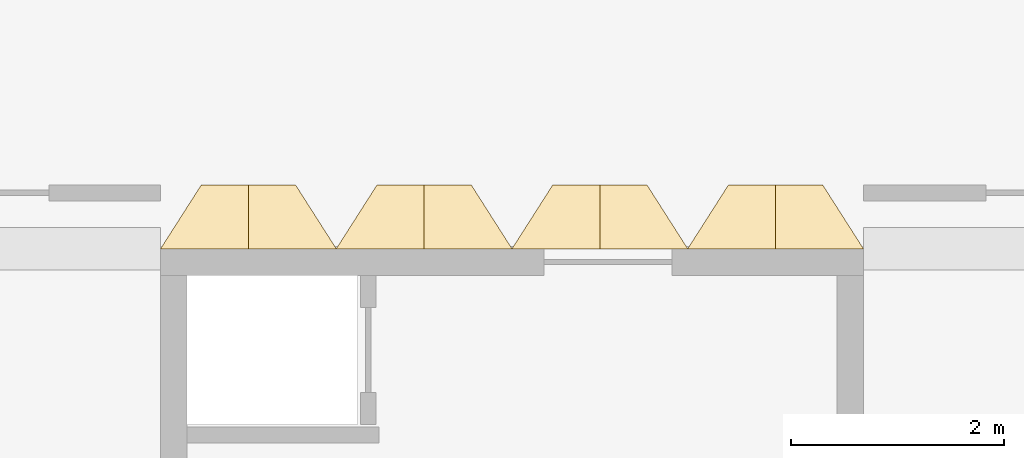
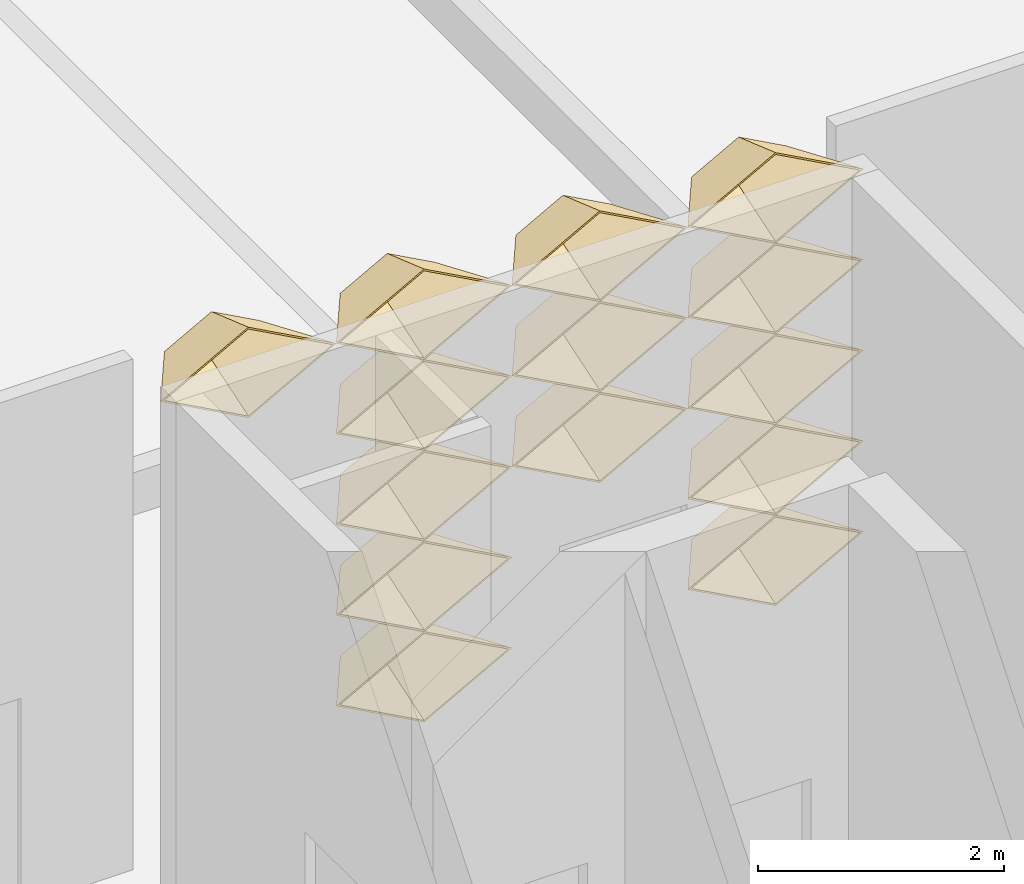
# One storey, part 53 of 85: 14 coverings.
"""IFC4 building model written with IfcOpenShell, lengths in metres."""

from ifc_helpers import new_model, entity, si_unit, direction, frame, origin, place, context, subcontext, project, spatial, material, layer, layer_set, type_object, element, save


model = new_model("IFC4")

# Units and contexts
model_context = context("Model", 3, precision=1e-05, world=origin(), true_north=direction((0.0, 1.0)))
body_context = subcontext(model_context, "Body", "Model", "MODEL_VIEW")
ifc_project = project(units=[si_unit("LENGTHUNIT", "METRE"), si_unit("AREAUNIT", "SQUARE_METRE"), si_unit("VOLUMEUNIT", "CUBIC_METRE"), si_unit("PLANEANGLEUNIT", "RADIAN"), si_unit("MASSUNIT", "GRAM", prefix="KILO")], contexts=[model_context])

# Site, building, storey
site_placement = place(None, origin())
site = spatial("IfcSite", under=ifc_project, at=site_placement, CompositionType="ELEMENT")
building_placement = place(site_placement, origin())
building = spatial("IfcBuilding", under=site, at=building_placement, Name="Lantern Court Research Institute", CompositionType="ELEMENT")
storey_placement = place(building_placement, origin())
storey = spatial("IfcBuildingStorey", under=building, at=storey_placement, Name="L00", CompositionType="ELEMENT", Elevation=0.0)

# Coverings
ifc_material = material(Name="Anodised aluminium", Category="aluminium")
ifc_layer = layer(ifc_material, 0.01611328125)
ifc_layer_set = layer_set([ifc_layer], Name="Anodised aluminium")
covering_type = type_object("IfcCoveringType", Name="Fin cassette 1650 x 900 x 600 aluminium", PredefinedType="CLADDING", material=ifc_layer_set)
covering_1_placement = place(storey_placement, frame((22.27490234375, 23.10009765625, 1.35009765625), z_axis=(0.0, 1.0, 0.0), x_axis=(-1.0, 0.0, 0.0)))
cartesian_point_1 = entity("IfcCartesianPoint", [0.824951171875, 0.0])
cartesian_point_2 = entity("IfcCartesianPoint", [0.79150390625, 0.0])
cartesian_point_3 = entity("IfcCartesianPoint", [0.44189453125, 0.0])
cartesian_point_4 = entity("IfcCartesianPoint", [0.43359375, 0.0])
element("IfcCovering", 1, at=covering_1_placement, inside=storey, type_object=covering_type, Name="Fin cassette V4N-L00 2.14", PredefinedType="CLADDING", context=body_context, shape_type="SweptSolid", body=[
    entity("IfcExtrudedAreaSolidTapered", entity("IfcArbitraryProfileDefWithVoids", "AREA", None, entity("IfcPolyline", [cartesian_point_1, entity("IfcCartesianPoint", [0.0, 0.449951171875]), entity("IfcCartesianPoint", [-0.824951171875, 0.0]), entity("IfcCartesianPoint", [0.0, -0.449951171875]), cartesian_point_1]), [entity("IfcPolyline", [cartesian_point_2, entity("IfcCartesianPoint", [0.0, 0.431884765625]), entity("IfcCartesianPoint", [-0.79150390625, 0.0]), entity("IfcCartesianPoint", [0.0, -0.431884765625]), cartesian_point_2])]), entity("IfcAxis2Placement3D", entity("IfcCartesianPoint", [0.0, 0.0, 0.0])), entity("IfcDirection", [0.0, 0.0, 1.0]), 0.60009765625, entity("IfcArbitraryProfileDefWithVoids", "AREA", None, entity("IfcPolyline", [cartesian_point_3, entity("IfcCartesianPoint", [0.0, 0.240966796875]), entity("IfcCartesianPoint", [-0.44189453125, 0.0]), entity("IfcCartesianPoint", [0.0, -0.240966796875]), cartesian_point_3]), [entity("IfcPolyline", [cartesian_point_4, entity("IfcCartesianPoint", [0.0, 0.236572265625]), entity("IfcCartesianPoint", [-0.43359375, 0.0]), entity("IfcCartesianPoint", [0.0, -0.236572265625]), cartesian_point_4])])),
])
covering_2_placement = place(storey_placement, frame((25.574951171875, 23.10009765625, 1.35009765625), z_axis=(0.0, 1.0, 0.0), x_axis=(-1.0, 0.0, 0.0)))
cartesian_point_5 = entity("IfcCartesianPoint", [0.824951171875, 0.0])
cartesian_point_6 = entity("IfcCartesianPoint", [0.79150390625, 0.0])
cartesian_point_7 = entity("IfcCartesianPoint", [0.44189453125, 0.0])
cartesian_point_8 = entity("IfcCartesianPoint", [0.43359375, 0.0])
element("IfcCovering", 2, at=covering_2_placement, inside=storey, type_object=covering_type, Name="Fin cassette V4N-L00 2.16", PredefinedType="CLADDING", context=body_context, shape_type="SweptSolid", body=[
    entity("IfcExtrudedAreaSolidTapered", entity("IfcArbitraryProfileDefWithVoids", "AREA", None, entity("IfcPolyline", [cartesian_point_5, entity("IfcCartesianPoint", [0.0, 0.449951171875]), entity("IfcCartesianPoint", [-0.824951171875, 0.0]), entity("IfcCartesianPoint", [0.0, -0.449951171875]), cartesian_point_5]), [entity("IfcPolyline", [cartesian_point_6, entity("IfcCartesianPoint", [0.0, 0.431884765625]), entity("IfcCartesianPoint", [-0.79150390625, 0.0]), entity("IfcCartesianPoint", [0.0, -0.431884765625]), cartesian_point_6])]), entity("IfcAxis2Placement3D", entity("IfcCartesianPoint", [0.0, 0.0, 0.0])), entity("IfcDirection", [0.0, 0.0, 1.0]), 0.60009765625, entity("IfcArbitraryProfileDefWithVoids", "AREA", None, entity("IfcPolyline", [cartesian_point_7, entity("IfcCartesianPoint", [0.0, 0.240966796875]), entity("IfcCartesianPoint", [-0.44189453125, 0.0]), entity("IfcCartesianPoint", [0.0, -0.240966796875]), cartesian_point_7]), [entity("IfcPolyline", [cartesian_point_8, entity("IfcCartesianPoint", [0.0, 0.236572265625]), entity("IfcCartesianPoint", [-0.43359375, 0.0]), entity("IfcCartesianPoint", [0.0, -0.236572265625]), cartesian_point_8])])),
])
covering_3_placement = place(storey_placement, frame((22.27490234375, 23.10009765625, 2.25), z_axis=(0.0, 1.0, 0.0), x_axis=(-1.0, 0.0, 0.0)))
cartesian_point_9 = entity("IfcCartesianPoint", [0.824951171875, 0.0])
cartesian_point_10 = entity("IfcCartesianPoint", [0.79150390625, 0.0])
cartesian_point_11 = entity("IfcCartesianPoint", [0.44189453125, 0.0])
cartesian_point_12 = entity("IfcCartesianPoint", [0.43359375, 0.0])
element("IfcCovering", 3, at=covering_3_placement, inside=storey, type_object=covering_type, Name="Fin cassette V4N-L00 3.14", PredefinedType="CLADDING", context=body_context, shape_type="SweptSolid", body=[
    entity("IfcExtrudedAreaSolidTapered", entity("IfcArbitraryProfileDefWithVoids", "AREA", None, entity("IfcPolyline", [cartesian_point_9, entity("IfcCartesianPoint", [0.0, 0.449951171875]), entity("IfcCartesianPoint", [-0.824951171875, 0.0]), entity("IfcCartesianPoint", [0.0, -0.449951171875]), cartesian_point_9]), [entity("IfcPolyline", [cartesian_point_10, entity("IfcCartesianPoint", [0.0, 0.431884765625]), entity("IfcCartesianPoint", [-0.79150390625, 0.0]), entity("IfcCartesianPoint", [0.0, -0.431884765625]), cartesian_point_10])]), entity("IfcAxis2Placement3D", entity("IfcCartesianPoint", [0.0, 0.0, 0.0])), entity("IfcDirection", [0.0, 0.0, 1.0]), 0.60009765625, entity("IfcArbitraryProfileDefWithVoids", "AREA", None, entity("IfcPolyline", [cartesian_point_11, entity("IfcCartesianPoint", [0.0, 0.240966796875]), entity("IfcCartesianPoint", [-0.44189453125, 0.0]), entity("IfcCartesianPoint", [0.0, -0.240966796875]), cartesian_point_11]), [entity("IfcPolyline", [cartesian_point_12, entity("IfcCartesianPoint", [0.0, 0.236572265625]), entity("IfcCartesianPoint", [-0.43359375, 0.0]), entity("IfcCartesianPoint", [0.0, -0.236572265625]), cartesian_point_12])])),
])
covering_4_placement = place(storey_placement, frame((25.574951171875, 23.10009765625, 2.25), z_axis=(0.0, 1.0, 0.0), x_axis=(-1.0, 0.0, 0.0)))
cartesian_point_13 = entity("IfcCartesianPoint", [0.824951171875, 0.0])
cartesian_point_14 = entity("IfcCartesianPoint", [0.79150390625, 0.0])
cartesian_point_15 = entity("IfcCartesianPoint", [0.44189453125, 0.0])
cartesian_point_16 = entity("IfcCartesianPoint", [0.43359375, 0.0])
element("IfcCovering", 4, at=covering_4_placement, inside=storey, type_object=covering_type, Name="Fin cassette V4N-L00 3.16", PredefinedType="CLADDING", context=body_context, shape_type="SweptSolid", body=[
    entity("IfcExtrudedAreaSolidTapered", entity("IfcArbitraryProfileDefWithVoids", "AREA", None, entity("IfcPolyline", [cartesian_point_13, entity("IfcCartesianPoint", [0.0, 0.449951171875]), entity("IfcCartesianPoint", [-0.824951171875, 0.0]), entity("IfcCartesianPoint", [0.0, -0.449951171875]), cartesian_point_13]), [entity("IfcPolyline", [cartesian_point_14, entity("IfcCartesianPoint", [0.0, 0.431884765625]), entity("IfcCartesianPoint", [-0.79150390625, 0.0]), entity("IfcCartesianPoint", [0.0, -0.431884765625]), cartesian_point_14])]), entity("IfcAxis2Placement3D", entity("IfcCartesianPoint", [0.0, 0.0, 0.0])), entity("IfcDirection", [0.0, 0.0, 1.0]), 0.60009765625, entity("IfcArbitraryProfileDefWithVoids", "AREA", None, entity("IfcPolyline", [cartesian_point_15, entity("IfcCartesianPoint", [0.0, 0.240966796875]), entity("IfcCartesianPoint", [-0.44189453125, 0.0]), entity("IfcCartesianPoint", [0.0, -0.240966796875]), cartesian_point_15]), [entity("IfcPolyline", [cartesian_point_16, entity("IfcCartesianPoint", [0.0, 0.236572265625]), entity("IfcCartesianPoint", [-0.43359375, 0.0]), entity("IfcCartesianPoint", [0.0, -0.236572265625]), cartesian_point_16])])),
])
covering_5_placement = place(storey_placement, frame((22.27490234375, 23.10009765625, 3.14990234375), z_axis=(0.0, 1.0, 0.0), x_axis=(-1.0, 0.0, 0.0)))
cartesian_point_17 = entity("IfcCartesianPoint", [0.824951171875, 0.0])
cartesian_point_18 = entity("IfcCartesianPoint", [0.79150390625, 0.0])
cartesian_point_19 = entity("IfcCartesianPoint", [0.44189453125, 0.0])
cartesian_point_20 = entity("IfcCartesianPoint", [0.43359375, 0.0])
element("IfcCovering", 5, at=covering_5_placement, inside=storey, type_object=covering_type, Name="Fin cassette V4N-L00 4.14", PredefinedType="CLADDING", context=body_context, shape_type="SweptSolid", body=[
    entity("IfcExtrudedAreaSolidTapered", entity("IfcArbitraryProfileDefWithVoids", "AREA", None, entity("IfcPolyline", [cartesian_point_17, entity("IfcCartesianPoint", [0.0, 0.449951171875]), entity("IfcCartesianPoint", [-0.824951171875, 0.0]), entity("IfcCartesianPoint", [0.0, -0.449951171875]), cartesian_point_17]), [entity("IfcPolyline", [cartesian_point_18, entity("IfcCartesianPoint", [0.0, 0.431884765625]), entity("IfcCartesianPoint", [-0.79150390625, 0.0]), entity("IfcCartesianPoint", [0.0, -0.431884765625]), cartesian_point_18])]), entity("IfcAxis2Placement3D", entity("IfcCartesianPoint", [0.0, 0.0, 0.0])), entity("IfcDirection", [0.0, 0.0, 1.0]), 0.60009765625, entity("IfcArbitraryProfileDefWithVoids", "AREA", None, entity("IfcPolyline", [cartesian_point_19, entity("IfcCartesianPoint", [0.0, 0.240966796875]), entity("IfcCartesianPoint", [-0.44189453125, 0.0]), entity("IfcCartesianPoint", [0.0, -0.240966796875]), cartesian_point_19]), [entity("IfcPolyline", [cartesian_point_20, entity("IfcCartesianPoint", [0.0, 0.236572265625]), entity("IfcCartesianPoint", [-0.43359375, 0.0]), entity("IfcCartesianPoint", [0.0, -0.236572265625]), cartesian_point_20])])),
])
covering_6_placement = place(storey_placement, frame((23.925048828125, 23.10009765625, 3.14990234375), z_axis=(0.0, 1.0, 0.0), x_axis=(-1.0, 0.0, 0.0)))
cartesian_point_21 = entity("IfcCartesianPoint", [0.824951171875, 0.0])
cartesian_point_22 = entity("IfcCartesianPoint", [0.79150390625, 0.0])
cartesian_point_23 = entity("IfcCartesianPoint", [0.44189453125, 0.0])
cartesian_point_24 = entity("IfcCartesianPoint", [0.43359375, 0.0])
element("IfcCovering", 6, at=covering_6_placement, inside=storey, type_object=covering_type, Name="Fin cassette V4N-L00 4.15", PredefinedType="CLADDING", context=body_context, shape_type="SweptSolid", body=[
    entity("IfcExtrudedAreaSolidTapered", entity("IfcArbitraryProfileDefWithVoids", "AREA", None, entity("IfcPolyline", [cartesian_point_21, entity("IfcCartesianPoint", [0.0, 0.449951171875]), entity("IfcCartesianPoint", [-0.824951171875, 0.0]), entity("IfcCartesianPoint", [0.0, -0.449951171875]), cartesian_point_21]), [entity("IfcPolyline", [cartesian_point_22, entity("IfcCartesianPoint", [0.0, 0.431884765625]), entity("IfcCartesianPoint", [-0.79150390625, 0.0]), entity("IfcCartesianPoint", [0.0, -0.431884765625]), cartesian_point_22])]), entity("IfcAxis2Placement3D", entity("IfcCartesianPoint", [0.0, 0.0, 0.0])), entity("IfcDirection", [0.0, 0.0, 1.0]), 0.60009765625, entity("IfcArbitraryProfileDefWithVoids", "AREA", None, entity("IfcPolyline", [cartesian_point_23, entity("IfcCartesianPoint", [0.0, 0.240966796875]), entity("IfcCartesianPoint", [-0.44189453125, 0.0]), entity("IfcCartesianPoint", [0.0, -0.240966796875]), cartesian_point_23]), [entity("IfcPolyline", [cartesian_point_24, entity("IfcCartesianPoint", [0.0, 0.236572265625]), entity("IfcCartesianPoint", [-0.43359375, 0.0]), entity("IfcCartesianPoint", [0.0, -0.236572265625]), cartesian_point_24])])),
])
covering_7_placement = place(storey_placement, frame((25.574951171875, 23.10009765625, 3.14990234375), z_axis=(0.0, 1.0, 0.0), x_axis=(-1.0, 0.0, 0.0)))
cartesian_point_25 = entity("IfcCartesianPoint", [0.824951171875, 0.0])
cartesian_point_26 = entity("IfcCartesianPoint", [0.79150390625, 0.0])
cartesian_point_27 = entity("IfcCartesianPoint", [0.44189453125, 0.0])
cartesian_point_28 = entity("IfcCartesianPoint", [0.43359375, 0.0])
element("IfcCovering", 7, at=covering_7_placement, inside=storey, type_object=covering_type, Name="Fin cassette V4N-L00 4.16", PredefinedType="CLADDING", context=body_context, shape_type="SweptSolid", body=[
    entity("IfcExtrudedAreaSolidTapered", entity("IfcArbitraryProfileDefWithVoids", "AREA", None, entity("IfcPolyline", [cartesian_point_25, entity("IfcCartesianPoint", [0.0, 0.449951171875]), entity("IfcCartesianPoint", [-0.824951171875, 0.0]), entity("IfcCartesianPoint", [0.0, -0.449951171875]), cartesian_point_25]), [entity("IfcPolyline", [cartesian_point_26, entity("IfcCartesianPoint", [0.0, 0.431884765625]), entity("IfcCartesianPoint", [-0.79150390625, 0.0]), entity("IfcCartesianPoint", [0.0, -0.431884765625]), cartesian_point_26])]), entity("IfcAxis2Placement3D", entity("IfcCartesianPoint", [0.0, 0.0, 0.0])), entity("IfcDirection", [0.0, 0.0, 1.0]), 0.60009765625, entity("IfcArbitraryProfileDefWithVoids", "AREA", None, entity("IfcPolyline", [cartesian_point_27, entity("IfcCartesianPoint", [0.0, 0.240966796875]), entity("IfcCartesianPoint", [-0.44189453125, 0.0]), entity("IfcCartesianPoint", [0.0, -0.240966796875]), cartesian_point_27]), [entity("IfcPolyline", [cartesian_point_28, entity("IfcCartesianPoint", [0.0, 0.236572265625]), entity("IfcCartesianPoint", [-0.43359375, 0.0]), entity("IfcCartesianPoint", [0.0, -0.236572265625]), cartesian_point_28])])),
])
covering_8_placement = place(storey_placement, frame((22.27490234375, 23.10009765625, 4.050048828125), z_axis=(0.0, 1.0, 0.0), x_axis=(-1.0, 0.0, 0.0)))
cartesian_point_29 = entity("IfcCartesianPoint", [0.824951171875, 0.0])
cartesian_point_30 = entity("IfcCartesianPoint", [0.79150390625, 0.0])
cartesian_point_31 = entity("IfcCartesianPoint", [0.44189453125, 0.0])
cartesian_point_32 = entity("IfcCartesianPoint", [0.43359375, 0.0])
element("IfcCovering", 8, at=covering_8_placement, inside=storey, type_object=covering_type, Name="Fin cassette V4N-L00 5.14", PredefinedType="CLADDING", context=body_context, shape_type="SweptSolid", body=[
    entity("IfcExtrudedAreaSolidTapered", entity("IfcArbitraryProfileDefWithVoids", "AREA", None, entity("IfcPolyline", [cartesian_point_29, entity("IfcCartesianPoint", [0.0, 0.449951171875]), entity("IfcCartesianPoint", [-0.824951171875, 0.0]), entity("IfcCartesianPoint", [0.0, -0.449951171875]), cartesian_point_29]), [entity("IfcPolyline", [cartesian_point_30, entity("IfcCartesianPoint", [0.0, 0.431884765625]), entity("IfcCartesianPoint", [-0.79150390625, 0.0]), entity("IfcCartesianPoint", [0.0, -0.431884765625]), cartesian_point_30])]), entity("IfcAxis2Placement3D", entity("IfcCartesianPoint", [0.0, 0.0, 0.0])), entity("IfcDirection", [0.0, 0.0, 1.0]), 0.60009765625, entity("IfcArbitraryProfileDefWithVoids", "AREA", None, entity("IfcPolyline", [cartesian_point_31, entity("IfcCartesianPoint", [0.0, 0.240966796875]), entity("IfcCartesianPoint", [-0.44189453125, 0.0]), entity("IfcCartesianPoint", [0.0, -0.240966796875]), cartesian_point_31]), [entity("IfcPolyline", [cartesian_point_32, entity("IfcCartesianPoint", [0.0, 0.236572265625]), entity("IfcCartesianPoint", [-0.43359375, 0.0]), entity("IfcCartesianPoint", [0.0, -0.236572265625]), cartesian_point_32])])),
])
covering_9_placement = place(storey_placement, frame((23.925048828125, 23.10009765625, 4.050048828125), z_axis=(0.0, 1.0, 0.0), x_axis=(-1.0, 0.0, 0.0)))
cartesian_point_33 = entity("IfcCartesianPoint", [0.824951171875, 0.0])
cartesian_point_34 = entity("IfcCartesianPoint", [0.79150390625, 0.0])
cartesian_point_35 = entity("IfcCartesianPoint", [0.44189453125, 0.0])
cartesian_point_36 = entity("IfcCartesianPoint", [0.43359375, 0.0])
element("IfcCovering", 9, at=covering_9_placement, inside=storey, type_object=covering_type, Name="Fin cassette V4N-L00 5.15", PredefinedType="CLADDING", context=body_context, shape_type="SweptSolid", body=[
    entity("IfcExtrudedAreaSolidTapered", entity("IfcArbitraryProfileDefWithVoids", "AREA", None, entity("IfcPolyline", [cartesian_point_33, entity("IfcCartesianPoint", [0.0, 0.449951171875]), entity("IfcCartesianPoint", [-0.824951171875, 0.0]), entity("IfcCartesianPoint", [0.0, -0.449951171875]), cartesian_point_33]), [entity("IfcPolyline", [cartesian_point_34, entity("IfcCartesianPoint", [0.0, 0.431884765625]), entity("IfcCartesianPoint", [-0.79150390625, 0.0]), entity("IfcCartesianPoint", [0.0, -0.431884765625]), cartesian_point_34])]), entity("IfcAxis2Placement3D", entity("IfcCartesianPoint", [0.0, 0.0, 0.0])), entity("IfcDirection", [0.0, 0.0, 1.0]), 0.60009765625, entity("IfcArbitraryProfileDefWithVoids", "AREA", None, entity("IfcPolyline", [cartesian_point_35, entity("IfcCartesianPoint", [0.0, 0.240966796875]), entity("IfcCartesianPoint", [-0.44189453125, 0.0]), entity("IfcCartesianPoint", [0.0, -0.240966796875]), cartesian_point_35]), [entity("IfcPolyline", [cartesian_point_36, entity("IfcCartesianPoint", [0.0, 0.236572265625]), entity("IfcCartesianPoint", [-0.43359375, 0.0]), entity("IfcCartesianPoint", [0.0, -0.236572265625]), cartesian_point_36])])),
])
covering_10_placement = place(storey_placement, frame((25.574951171875, 23.10009765625, 4.050048828125), z_axis=(0.0, 1.0, 0.0), x_axis=(-1.0, 0.0, 0.0)))
cartesian_point_37 = entity("IfcCartesianPoint", [0.824951171875, 0.0])
cartesian_point_38 = entity("IfcCartesianPoint", [0.79150390625, 0.0])
cartesian_point_39 = entity("IfcCartesianPoint", [0.44189453125, 0.0])
cartesian_point_40 = entity("IfcCartesianPoint", [0.43359375, 0.0])
element("IfcCovering", 10, at=covering_10_placement, inside=storey, type_object=covering_type, Name="Fin cassette V4N-L00 5.16", PredefinedType="CLADDING", context=body_context, shape_type="SweptSolid", body=[
    entity("IfcExtrudedAreaSolidTapered", entity("IfcArbitraryProfileDefWithVoids", "AREA", None, entity("IfcPolyline", [cartesian_point_37, entity("IfcCartesianPoint", [0.0, 0.449951171875]), entity("IfcCartesianPoint", [-0.824951171875, 0.0]), entity("IfcCartesianPoint", [0.0, -0.449951171875]), cartesian_point_37]), [entity("IfcPolyline", [cartesian_point_38, entity("IfcCartesianPoint", [0.0, 0.431884765625]), entity("IfcCartesianPoint", [-0.79150390625, 0.0]), entity("IfcCartesianPoint", [0.0, -0.431884765625]), cartesian_point_38])]), entity("IfcAxis2Placement3D", entity("IfcCartesianPoint", [0.0, 0.0, 0.0])), entity("IfcDirection", [0.0, 0.0, 1.0]), 0.60009765625, entity("IfcArbitraryProfileDefWithVoids", "AREA", None, entity("IfcPolyline", [cartesian_point_39, entity("IfcCartesianPoint", [0.0, 0.240966796875]), entity("IfcCartesianPoint", [-0.44189453125, 0.0]), entity("IfcCartesianPoint", [0.0, -0.240966796875]), cartesian_point_39]), [entity("IfcPolyline", [cartesian_point_40, entity("IfcCartesianPoint", [0.0, 0.236572265625]), entity("IfcCartesianPoint", [-0.43359375, 0.0]), entity("IfcCartesianPoint", [0.0, -0.236572265625]), cartesian_point_40])])),
])
covering_11_placement = place(storey_placement, frame((20.625, 23.10009765625, 4.949951171875), z_axis=(0.0, 1.0, 0.0), x_axis=(-1.0, 0.0, 0.0)))
cartesian_point_41 = entity("IfcCartesianPoint", [0.824951171875, 0.0])
cartesian_point_42 = entity("IfcCartesianPoint", [0.79150390625, 0.0])
cartesian_point_43 = entity("IfcCartesianPoint", [0.44189453125, 0.0])
cartesian_point_44 = entity("IfcCartesianPoint", [0.43359375, 0.0])
element("IfcCovering", 11, at=covering_11_placement, inside=storey, type_object=covering_type, Name="Fin cassette V4N-L00 6.13", PredefinedType="CLADDING", context=body_context, shape_type="SweptSolid", body=[
    entity("IfcExtrudedAreaSolidTapered", entity("IfcArbitraryProfileDefWithVoids", "AREA", None, entity("IfcPolyline", [cartesian_point_41, entity("IfcCartesianPoint", [0.0, 0.449951171875]), entity("IfcCartesianPoint", [-0.824951171875, 0.0]), entity("IfcCartesianPoint", [0.0, -0.449951171875]), cartesian_point_41]), [entity("IfcPolyline", [cartesian_point_42, entity("IfcCartesianPoint", [0.0, 0.431884765625]), entity("IfcCartesianPoint", [-0.79150390625, 0.0]), entity("IfcCartesianPoint", [0.0, -0.431884765625]), cartesian_point_42])]), entity("IfcAxis2Placement3D", entity("IfcCartesianPoint", [0.0, 0.0, 0.0])), entity("IfcDirection", [0.0, 0.0, 1.0]), 0.60009765625, entity("IfcArbitraryProfileDefWithVoids", "AREA", None, entity("IfcPolyline", [cartesian_point_43, entity("IfcCartesianPoint", [0.0, 0.240966796875]), entity("IfcCartesianPoint", [-0.44189453125, 0.0]), entity("IfcCartesianPoint", [0.0, -0.240966796875]), cartesian_point_43]), [entity("IfcPolyline", [cartesian_point_44, entity("IfcCartesianPoint", [0.0, 0.236572265625]), entity("IfcCartesianPoint", [-0.43359375, 0.0]), entity("IfcCartesianPoint", [0.0, -0.236572265625]), cartesian_point_44])])),
])
covering_12_placement = place(storey_placement, frame((22.27490234375, 23.10009765625, 4.949951171875), z_axis=(0.0, 1.0, 0.0), x_axis=(-1.0, 0.0, 0.0)))
cartesian_point_45 = entity("IfcCartesianPoint", [0.824951171875, 0.0])
cartesian_point_46 = entity("IfcCartesianPoint", [0.79150390625, 0.0])
cartesian_point_47 = entity("IfcCartesianPoint", [0.44189453125, 0.0])
cartesian_point_48 = entity("IfcCartesianPoint", [0.43359375, 0.0])
element("IfcCovering", 12, at=covering_12_placement, inside=storey, type_object=covering_type, Name="Fin cassette V4N-L00 6.14", PredefinedType="CLADDING", context=body_context, shape_type="SweptSolid", body=[
    entity("IfcExtrudedAreaSolidTapered", entity("IfcArbitraryProfileDefWithVoids", "AREA", None, entity("IfcPolyline", [cartesian_point_45, entity("IfcCartesianPoint", [0.0, 0.449951171875]), entity("IfcCartesianPoint", [-0.824951171875, 0.0]), entity("IfcCartesianPoint", [0.0, -0.449951171875]), cartesian_point_45]), [entity("IfcPolyline", [cartesian_point_46, entity("IfcCartesianPoint", [0.0, 0.431884765625]), entity("IfcCartesianPoint", [-0.79150390625, 0.0]), entity("IfcCartesianPoint", [0.0, -0.431884765625]), cartesian_point_46])]), entity("IfcAxis2Placement3D", entity("IfcCartesianPoint", [0.0, 0.0, 0.0])), entity("IfcDirection", [0.0, 0.0, 1.0]), 0.60009765625, entity("IfcArbitraryProfileDefWithVoids", "AREA", None, entity("IfcPolyline", [cartesian_point_47, entity("IfcCartesianPoint", [0.0, 0.240966796875]), entity("IfcCartesianPoint", [-0.44189453125, 0.0]), entity("IfcCartesianPoint", [0.0, -0.240966796875]), cartesian_point_47]), [entity("IfcPolyline", [cartesian_point_48, entity("IfcCartesianPoint", [0.0, 0.236572265625]), entity("IfcCartesianPoint", [-0.43359375, 0.0]), entity("IfcCartesianPoint", [0.0, -0.236572265625]), cartesian_point_48])])),
])
covering_13_placement = place(storey_placement, frame((23.925048828125, 23.10009765625, 4.949951171875), z_axis=(0.0, 1.0, 0.0), x_axis=(-1.0, 0.0, 0.0)))
cartesian_point_49 = entity("IfcCartesianPoint", [0.824951171875, 0.0])
cartesian_point_50 = entity("IfcCartesianPoint", [0.79150390625, 0.0])
cartesian_point_51 = entity("IfcCartesianPoint", [0.44189453125, 0.0])
cartesian_point_52 = entity("IfcCartesianPoint", [0.43359375, 0.0])
element("IfcCovering", 13, at=covering_13_placement, inside=storey, type_object=covering_type, Name="Fin cassette V4N-L00 6.15", PredefinedType="CLADDING", context=body_context, shape_type="SweptSolid", body=[
    entity("IfcExtrudedAreaSolidTapered", entity("IfcArbitraryProfileDefWithVoids", "AREA", None, entity("IfcPolyline", [cartesian_point_49, entity("IfcCartesianPoint", [0.0, 0.449951171875]), entity("IfcCartesianPoint", [-0.824951171875, 0.0]), entity("IfcCartesianPoint", [0.0, -0.449951171875]), cartesian_point_49]), [entity("IfcPolyline", [cartesian_point_50, entity("IfcCartesianPoint", [0.0, 0.431884765625]), entity("IfcCartesianPoint", [-0.79150390625, 0.0]), entity("IfcCartesianPoint", [0.0, -0.431884765625]), cartesian_point_50])]), entity("IfcAxis2Placement3D", entity("IfcCartesianPoint", [0.0, 0.0, 0.0])), entity("IfcDirection", [0.0, 0.0, 1.0]), 0.60009765625, entity("IfcArbitraryProfileDefWithVoids", "AREA", None, entity("IfcPolyline", [cartesian_point_51, entity("IfcCartesianPoint", [0.0, 0.240966796875]), entity("IfcCartesianPoint", [-0.44189453125, 0.0]), entity("IfcCartesianPoint", [0.0, -0.240966796875]), cartesian_point_51]), [entity("IfcPolyline", [cartesian_point_52, entity("IfcCartesianPoint", [0.0, 0.236572265625]), entity("IfcCartesianPoint", [-0.43359375, 0.0]), entity("IfcCartesianPoint", [0.0, -0.236572265625]), cartesian_point_52])])),
])
covering_14_placement = place(storey_placement, frame((25.574951171875, 23.10009765625, 4.949951171875), z_axis=(0.0, 1.0, 0.0), x_axis=(-1.0, 0.0, 0.0)))
cartesian_point_53 = entity("IfcCartesianPoint", [0.824951171875, 0.0])
cartesian_point_54 = entity("IfcCartesianPoint", [0.79150390625, 0.0])
cartesian_point_55 = entity("IfcCartesianPoint", [0.44189453125, 0.0])
cartesian_point_56 = entity("IfcCartesianPoint", [0.43359375, 0.0])
element("IfcCovering", 14, at=covering_14_placement, inside=storey, type_object=covering_type, Name="Fin cassette V4N-L00 6.16", PredefinedType="CLADDING", context=body_context, shape_type="SweptSolid", body=[
    entity("IfcExtrudedAreaSolidTapered", entity("IfcArbitraryProfileDefWithVoids", "AREA", None, entity("IfcPolyline", [cartesian_point_53, entity("IfcCartesianPoint", [0.0, 0.449951171875]), entity("IfcCartesianPoint", [-0.824951171875, 0.0]), entity("IfcCartesianPoint", [0.0, -0.449951171875]), cartesian_point_53]), [entity("IfcPolyline", [cartesian_point_54, entity("IfcCartesianPoint", [0.0, 0.431884765625]), entity("IfcCartesianPoint", [-0.79150390625, 0.0]), entity("IfcCartesianPoint", [0.0, -0.431884765625]), cartesian_point_54])]), entity("IfcAxis2Placement3D", entity("IfcCartesianPoint", [0.0, 0.0, 0.0])), entity("IfcDirection", [0.0, 0.0, 1.0]), 0.60009765625, entity("IfcArbitraryProfileDefWithVoids", "AREA", None, entity("IfcPolyline", [cartesian_point_55, entity("IfcCartesianPoint", [0.0, 0.240966796875]), entity("IfcCartesianPoint", [-0.44189453125, 0.0]), entity("IfcCartesianPoint", [0.0, -0.240966796875]), cartesian_point_55]), [entity("IfcPolyline", [cartesian_point_56, entity("IfcCartesianPoint", [0.0, 0.236572265625]), entity("IfcCartesianPoint", [-0.43359375, 0.0]), entity("IfcCartesianPoint", [0.0, -0.236572265625]), cartesian_point_56])])),
])

save(model, "model.ifc")
